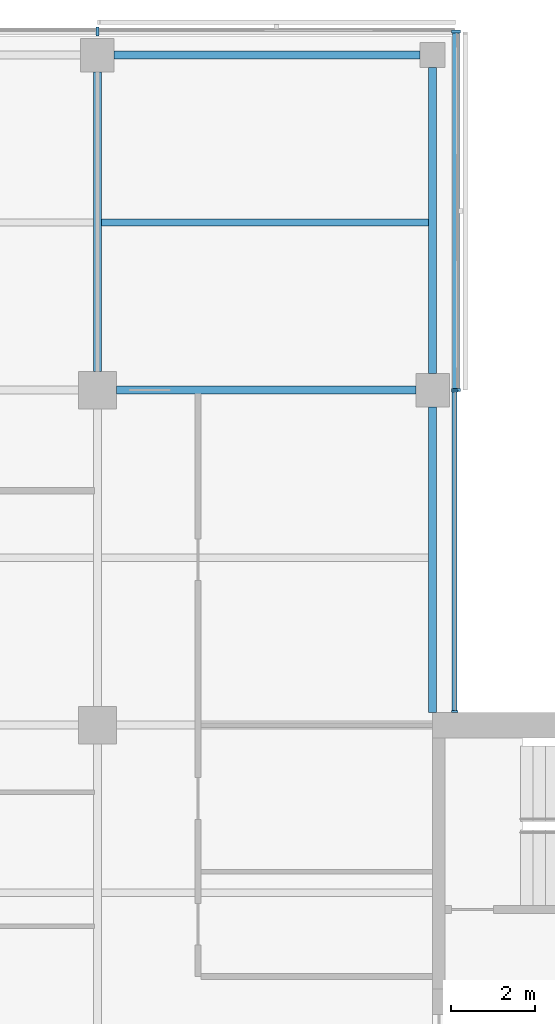
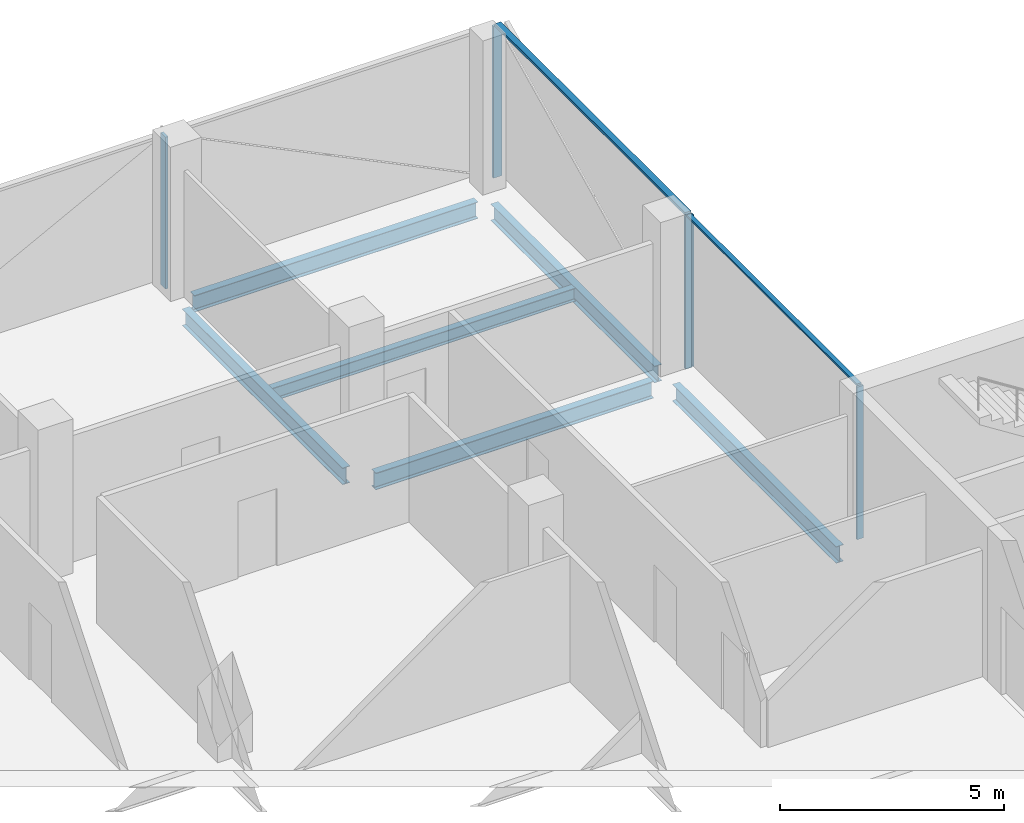
# One storey, part 7 of 15: 7 members, 6 beams, 3 elements without a shape of their own.
"""IFC4 building model written with IfcOpenShell, lengths in metres."""

from ifc_helpers import new_model, si_unit, direction, frame, origin, origin_2d, place, context, subcontext, project, spatial, rectangle, i_section, extrude, material, material_profile, profile_set, type_object, element, aggregate, save


model = new_model("IFC4")

# Units and contexts
model_context = context("Model", 3, precision=1e-05, world=origin(), true_north=direction((0.0, 1.0)))
body_context = subcontext(model_context, "Body", "Model", "MODEL_VIEW")
ifc_project = project(units=[si_unit("LENGTHUNIT", "METRE"), si_unit("AREAUNIT", "SQUARE_METRE"), si_unit("VOLUMEUNIT", "CUBIC_METRE"), si_unit("PLANEANGLEUNIT", "RADIAN"), si_unit("MASSUNIT", "GRAM", prefix="KILO")], contexts=[model_context])

# Site, building, storey
site_placement = place(None, origin())
site = spatial("IfcSite", under=ifc_project, at=site_placement, CompositionType="ELEMENT")
building_placement = place(site_placement, origin())
building = spatial("IfcBuilding", under=site, at=building_placement, Name="Crosswind Convention Tower", CompositionType="ELEMENT")
storey_placement = place(building_placement, frame((0.0, 0.0, 195.699951171875)))
storey = spatial("IfcBuildingStorey", under=building, at=storey_placement, Name="L41", CompositionType="ELEMENT", Elevation=195.699951171875)

# Beams
ifc_material_1 = material(Name="Steel S355", Category="steel")
ifc_material_profile_1 = material_profile(ifc_material_1, i_section(OverallWidth=0.18994140625, OverallDepth=0.45361328125, WebThickness=0.008544921875, FlangeThickness=0.0126953125, FilletRadius=0.01025390625, at=origin_2d()), Name="UB 457x191x67")
ifc_profile_set_1 = profile_set([ifc_material_profile_1], Name="Steel S355")
beam_type_1 = type_object("IfcBeamType", Name="Edge beam UB 457x191x67", PredefinedType="SPANDREL", material=ifc_profile_set_1)
for number, where, z_axis, x_axis, name in (
    (1, (129.39990234375, 128.0, -0.52685546875), (1.0, 0.0, 0.0), (0.0, 1.0, 0.0), "B16 L41 edge beam 10"),
    (2, (137.0, 112.300048828125, -0.52685546875), (0.0, 1.0, 0.0), (-1.0, 0.0, 0.0), "B16 L41 edge beam 13"),
    (3, (137.0, 120.39990234375, -0.52685546875), (0.0, 1.0, 0.0), (-1.0, 0.0, 0.0), "B16 L41 edge beam 14"),
):
    element("IfcBeam", number, at=place(storey_placement, frame(where, z_axis=z_axis, x_axis=x_axis)), inside=storey, type_object=beam_type_1, Name=name, PredefinedType="SPANDREL", context=body_context, shape_type="SweptSolid", body=[
        extrude(i_section(OverallWidth=0.18994140625, OverallDepth=0.45361328125, WebThickness=0.008544921875, FlangeThickness=0.0126953125, FilletRadius=0.01025390625, at=origin_2d()), origin(), (0.0, 0.0, 1.0), 7.300048828125),
    ])
ifc_material_profile_2 = material_profile(ifc_material_1, i_section(OverallWidth=0.1904296875, OverallDepth=0.457275390625, WebThickness=0.009033203125, FlangeThickness=0.014404296875, FilletRadius=0.01025390625, at=origin_2d()), Name="UB 457x191x75")
ifc_profile_set_2 = profile_set([ifc_material_profile_2], Name="Steel S355")
beam_type_2 = type_object("IfcBeamType", Name="Girder UB 457x191x75", PredefinedType="BEAM", material=ifc_profile_set_2)
for number, where, z_axis, x_axis, name in (
    (4, (129.0, 120.449951171875, -0.528564453125), (0.0, 1.0, 0.0), (-1.0, 0.0, 0.0), "B2 L41 girder 22"),
    (5, (129.449951171875, 120.0, -0.528564453125), (1.0, 0.0, 0.0), (0.0, 1.0, 0.0), "B2 L41 girder 24"),
):
    element("IfcBeam", number, at=place(storey_placement, frame(where, z_axis=z_axis, x_axis=x_axis)), inside=storey, type_object=beam_type_2, Name=name, PredefinedType="BEAM", context=body_context, shape_type="SweptSolid", body=[
        extrude(i_section(OverallWidth=0.1904296875, OverallDepth=0.457275390625, WebThickness=0.009033203125, FlangeThickness=0.014404296875, FilletRadius=0.01025390625, at=origin_2d()), origin(), (0.0, 0.0, 1.0), 7.150146484375),
    ])

# Curtain wall, members
ifc_material_2 = material(Name="Aluminium unitised curtain wall", Category="aluminium")
curtain_wall_type_1 = type_object("IfcCurtainWallType", Name="CORE END SLOT WALL 160", PredefinedType="USERDEFINED", material=ifc_material_2)
curtain_wall_1_placement = place(storey_placement, origin())
curtain_wall_1 = element("IfcCurtainWall", 6, at=curtain_wall_1_placement, inside=storey, type_object=curtain_wall_type_1, Name="CW6 L41 N-E.1-1 slot", ObjectType="UNITISED", PredefinedType="USERDEFINED")
ifc_material_3 = material(Name="Aluminium mullion", Category="aluminium")
ifc_material_profile_3 = material_profile(ifc_material_3, rectangle(XDim=0.159912109375, YDim=0.050048828125, at=origin_2d()), Name="AL 160X50")
ifc_profile_set_3 = profile_set([ifc_material_profile_3], Name="Aluminium mullion")
member_type_1 = type_object("IfcMemberType", Name="MULLION 50X160", PredefinedType="MULLION", material=ifc_profile_set_3)
member_1_placement = place(storey_placement, frame((137.530029296875, 112.324951171875, -0.300048828125), z_axis=(0.0, 0.0, 1.0), x_axis=(1.0, 0.0, 0.0)))
member_1 = element("IfcMember", 7, at=member_1_placement, type_object=member_type_1, Name="CW6 mullion 1", PredefinedType="MULLION", context=body_context, shape_type="SweptSolid", body=[
    extrude(rectangle(XDim=0.159912109375, YDim=0.050048828125, at=origin_2d()), origin(), (0.0, 0.0, 1.0), 4.150146484375),
])
member_2_placement = place(storey_placement, frame((137.530029296875, 119.97509765625, -0.300048828125), z_axis=(0.0, 0.0, 1.0), x_axis=(1.0, 0.0, 0.0)))
member_2 = element("IfcMember", 8, at=member_2_placement, type_object=member_type_1, Name="CW6 mullion 2", PredefinedType="MULLION", context=body_context, shape_type="SweptSolid", body=[
    extrude(rectangle(XDim=0.159912109375, YDim=0.050048828125, at=origin_2d()), origin(), (0.0, 0.0, 1.0), 4.150146484375),
])

curtain_wall_type_2 = type_object("IfcCurtainWallType", Name="OFFICE UNITISED WALL 220", PredefinedType="USERDEFINED", material=ifc_material_2)
curtain_wall_2_placement = place(storey_placement, origin())
curtain_wall_2 = element("IfcCurtainWall", 9, at=curtain_wall_2_placement, inside=storey, type_object=curtain_wall_type_2, Name="CW3 L41 N-E 1", ObjectType="UNITISED", PredefinedType="USERDEFINED")
ifc_material_profile_4 = material_profile(ifc_material_3, rectangle(XDim=0.219970703125, YDim=0.070068359375, at=origin_2d()), Name="AL 220X70")
ifc_profile_set_4 = profile_set([ifc_material_profile_4], Name="Aluminium mullion")
member_type_2 = type_object("IfcMemberType", Name="MULLION 70X220", PredefinedType="MULLION", material=ifc_profile_set_4)
member_3_placement = place(storey_placement, frame((137.56005859375, 120.0, -0.300048828125), z_axis=(0.0, 0.0, 1.0), x_axis=(1.0, 0.0, 0.0)))
member_3 = element("IfcMember", 10, at=member_3_placement, type_object=member_type_2, Name="CW3 mullion 1", PredefinedType="MULLION", context=body_context, shape_type="SweptSolid", body=[
    extrude(rectangle(XDim=0.219970703125, YDim=0.070068359375, at=origin_2d()), origin(), (0.0, 0.0, 1.0), 4.130126953125),
])
member_4_placement = place(storey_placement, frame((137.56005859375, 128.56005859375, -0.300048828125), z_axis=(0.0, 0.0, 1.0), x_axis=(1.0, 0.0, 0.0)))
member_4 = element("IfcMember", 11, at=member_4_placement, type_object=member_type_2, Name="CW3 mullion 2", PredefinedType="MULLION", context=body_context, shape_type="SweptSolid", body=[
    extrude(rectangle(XDim=0.219970703125, YDim=0.070068359375, at=origin_2d()), origin(), (0.0, 0.0, 1.0), 4.130126953125),
])

# Curtain wall, member
curtain_wall_3_placement = place(storey_placement, origin())
curtain_wall_3 = element("IfcCurtainWall", 12, at=curtain_wall_3_placement, inside=storey, type_object=curtain_wall_type_2, Name="CW3 L41 N-TIP 1", ObjectType="UNITISED", PredefinedType="USERDEFINED")
member_5_placement = place(storey_placement, frame((129.0, 128.56005859375, -0.300048828125), z_axis=(0.0, 0.0, 1.0), x_axis=(0.0, 1.0, 0.0)))
member_5 = element("IfcMember", 13, at=member_5_placement, type_object=member_type_2, Name="CW3 mullion 2", PredefinedType="MULLION", context=body_context, shape_type="SweptSolid", body=[
    extrude(rectangle(XDim=0.219970703125, YDim=0.070068359375, at=origin_2d()), origin(), (0.0, 0.0, 1.0), 4.130126953125),
])
aggregate(curtain_wall_3, [member_5])

# Beam
ifc_material_profile_5 = material_profile(ifc_material_1, i_section(OverallWidth=0.172119140625, OverallDepth=0.358642578125, WebThickness=0.008056640625, FlangeThickness=0.012939453125, FilletRadius=0.01025390625, at=origin_2d()), Name="UB 356x171x57")
ifc_profile_set_5 = profile_set([ifc_material_profile_5], Name="Steel S355")
beam_type_3 = type_object("IfcBeamType", Name="Secondary beam UB 356x171x57", PredefinedType="JOIST", material=ifc_profile_set_5)
beam_placement = place(storey_placement, frame((129.09521484375, 124.0, -0.479248046875), z_axis=(1.0, 0.0, 0.0), x_axis=(0.0, 1.0, 0.0)))
element("IfcBeam", 14, at=beam_placement, inside=storey, type_object=beam_type_3, Name="B9 L41 secondary beam 21", PredefinedType="JOIST", context=body_context, shape_type="SweptSolid", body=[
    extrude(i_section(OverallWidth=0.172119140625, OverallDepth=0.358642578125, WebThickness=0.008056640625, FlangeThickness=0.012939453125, FilletRadius=0.01025390625, at=origin_2d()), origin(), (0.0, 0.0, 1.0), 7.809814453125),
])

# Member
ifc_material_4 = material(Name="Aluminium transom", Category="aluminium")
ifc_material_profile_6 = material_profile(ifc_material_4, rectangle(XDim=0.1201171875, YDim=0.050048828125, at=origin_2d()), Name="AL 120X50")
ifc_profile_set_6 = profile_set([ifc_material_profile_6], Name="Aluminium transom")
member_type_3 = type_object("IfcMemberType", Name="TRANSOM 50X120", PredefinedType="USERDEFINED", material=ifc_profile_set_6)
member_6_placement = place(storey_placement, frame((137.530029296875, 112.35009765625, 3.875), z_axis=(0.0, 1.0, 0.0), x_axis=(-1.0, 0.0, 0.0)))
member_6 = element("IfcMember", 15, at=member_6_placement, type_object=member_type_3, Name="CW6 transom", ObjectType="TRANSOM", PredefinedType="USERDEFINED", context=body_context, shape_type="SweptSolid", body=[
    extrude(rectangle(XDim=0.1201171875, YDim=0.050048828125, at=origin_2d()), origin(), (0.0, 0.0, 1.0), 7.599853515625),
])

aggregate(curtain_wall_1, [member_1, member_2, member_6])

ifc_material_profile_7 = material_profile(ifc_material_4, rectangle(XDim=0.159912109375, YDim=0.070068359375, at=origin_2d()), Name="AL 160X70")
ifc_profile_set_7 = profile_set([ifc_material_profile_7], Name="Aluminium transom")
member_type_4 = type_object("IfcMemberType", Name="TRANSOM 70X160", PredefinedType="USERDEFINED", material=ifc_profile_set_7)
member_7_placement = place(storey_placement, frame((137.56005859375, 120.034912109375, 3.864990234375), z_axis=(0.0, 1.0, 0.0), x_axis=(-1.0, 0.0, 0.0)))
member_7 = element("IfcMember", 16, at=member_7_placement, type_object=member_type_4, Name="CW3 transom", ObjectType="TRANSOM", PredefinedType="USERDEFINED", context=body_context, shape_type="SweptSolid", body=[
    extrude(rectangle(XDim=0.159912109375, YDim=0.070068359375, at=origin_2d()), origin(), (0.0, 0.0, 1.0), 8.489990234375),
])

aggregate(curtain_wall_2, [member_3, member_4, member_7])

save(model, "model.ifc")
